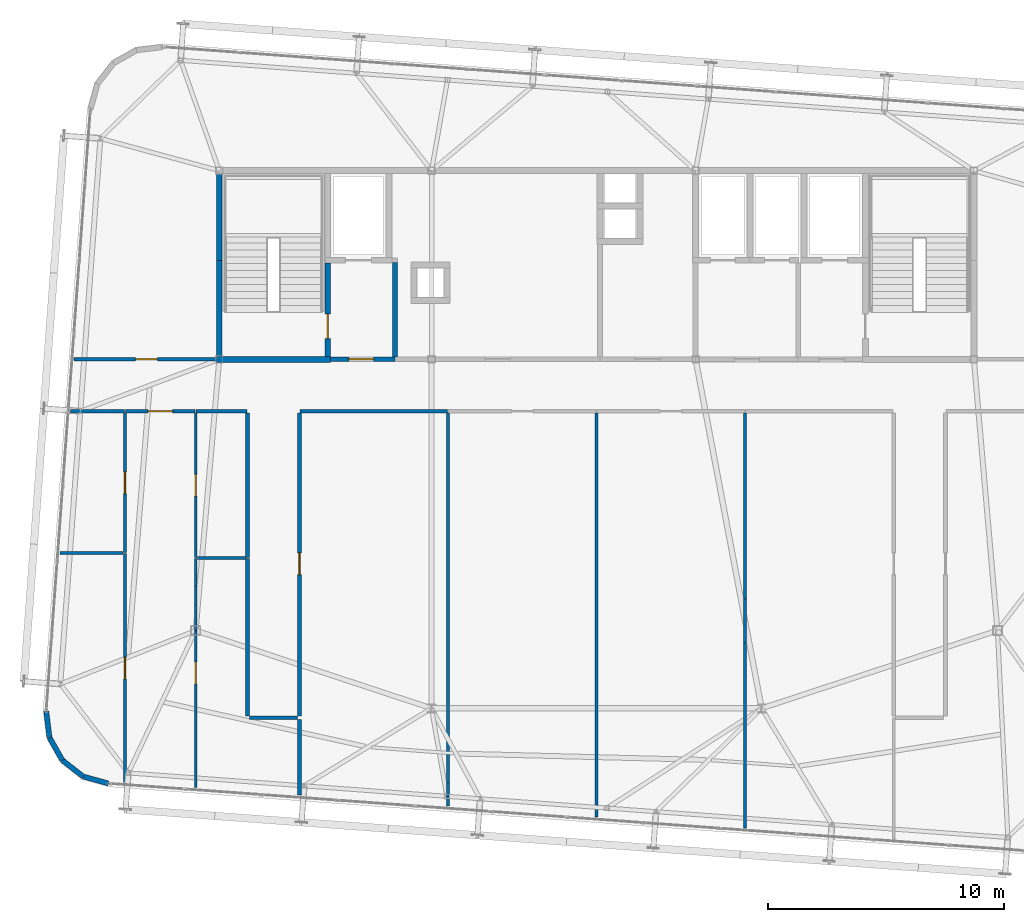
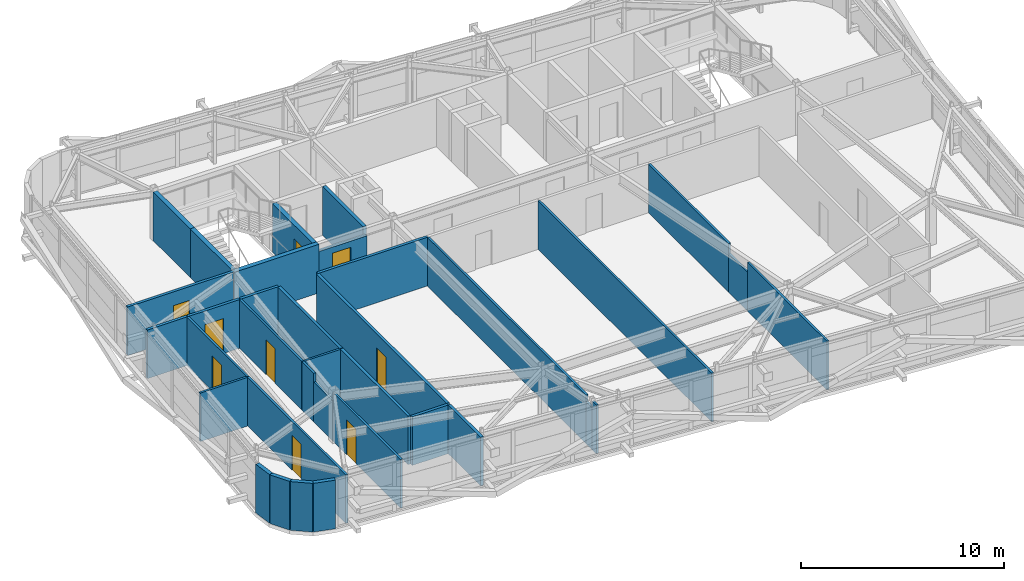
# One storey, part 38 of 42: 35 walls, 9 doors, 9 openings.
"""IFC4 building model written with IfcOpenShell, lengths in metres."""

from ifc_helpers import new_model, si_unit, direction, frame, frame_2d, origin, place, context, subcontext, project, spatial, rectangle, extrude, source, transform, mapped, material, layer, layer_set, type_object, element, fill, save


model = new_model("IFC4")

# Units and contexts
model_context = context("Model", 3, precision=1e-05, world=origin(), true_north=direction((0.0, 1.0)))
body_context = subcontext(model_context, "Body", "Model", "MODEL_VIEW")
ifc_project = project(units=[si_unit("LENGTHUNIT", "METRE"), si_unit("AREAUNIT", "SQUARE_METRE"), si_unit("VOLUMEUNIT", "CUBIC_METRE"), si_unit("PLANEANGLEUNIT", "RADIAN"), si_unit("MASSUNIT", "GRAM", prefix="KILO")], contexts=[model_context])

# Site, building, storey
site_placement = place(None, origin())
site = spatial("IfcSite", under=ifc_project, at=site_placement, CompositionType="ELEMENT")
building_placement = place(site_placement, origin())
building = spatial("IfcBuilding", under=site, at=building_placement, Name="Taldren Reach Tower", CompositionType="ELEMENT")
storey_placement = place(building_placement, frame((0.0, 0.0, 220.85009765625)))
storey = spatial("IfcBuildingStorey", under=building, at=storey_placement, Name="L67", CompositionType="ELEMENT", Elevation=220.85009765625)

# Walls
ifc_material_1 = material(Name="Pale Champagne Anodised Aluminium Cladding", Category="aluminium")
ifc_layer_1 = layer(ifc_material_1, 0.04, Name="Pale Champagne Anodised Aluminium Cladding", Category="aluminium")
ifc_material_2 = material(Name="Mineral Wool Acoustic Insulation", Category="insulation")
ifc_layer_2 = layer(ifc_material_2, 0.06, Name="Mineral Wool Acoustic Insulation", Category="insulation")
ifc_material_3 = material(Name="Steel Gr 350 (C350L0)", Category="steel")
ifc_layer_3 = layer(ifc_material_3, 0.12, Name="Steel Gr 350 (C350L0)", Category="steel")
ifc_layer_set_1 = layer_set([ifc_layer_1, ifc_layer_2, ifc_layer_3], Name="Pale Champagne Aluminium Cladding and Steel Gr 350 Stud Framing")
wall_type_1 = type_object("IfcWallType", Name="EW-CRN-220", PredefinedType="SOLIDWALL", material=ifc_layer_set_1)
shared_shape_1 = source(origin(), body_context, "Body", "SweptSolid", [
    extrude(rectangle(XDim=1.115966796875, YDim=0.219970703125, at=frame_2d((0.55810546875, 0.0))), origin(), (0.0, 0.0, 1.0), 2.929931640625),
])
for number, where, z_axis, x_axis, name in (
    (1, (11.66259765625, 9.072021484375, 0.0), (0.0, 0.0, 1.0), (0.122742076028, -0.992438604032, 0.0), "Rounded-corner pale-metal facade wall L67-SW1"),
    (2, (11.799560546875, 7.964599609375, 0.0), (0.0, 0.0, 1.0), (0.493073284892, -0.869987779067, 0.0), "Rounded-corner pale-metal facade wall L67-SW2"),
    (3, (12.349853515625, 6.99365234375, 0.0), (0.0, 0.0, 1.0), (0.788597772321, -0.614909386406, 0.0), "Rounded-corner pale-metal facade wall L67-SW3"),
):
    element("IfcWall", number, at=place(storey_placement, frame(where, z_axis=z_axis, x_axis=x_axis)), inside=storey, type_object=wall_type_1, Name=name, PredefinedType="SOLIDWALL", context=body_context, shape_type="MappedRepresentation", body=[
        mapped(shared_shape_1, transform((0.0, 0.0, 0.0), scale=1.0)),
    ])
shared_shape_2 = source(origin(), body_context, "Body", "SweptSolid", [
    extrude(rectangle(XDim=1.11572265625, YDim=0.219970703125, at=frame_2d((0.557861328125, 0.0))), origin(), (0.0, 0.0, 1.0), 2.929931640625),
])
wall_1_placement = place(storey_placement, frame((13.22998046875, 6.307373046875, 0.0), z_axis=(0.0, 0.0, 1.0), x_axis=(0.963890028874, -0.266300605026, 0.0)))
element("IfcWall", 4, at=wall_1_placement, inside=storey, type_object=wall_type_1, Name="Rounded-corner pale-metal facade wall L67-SW4", PredefinedType="SOLIDWALL", context=body_context, shape_type="MappedRepresentation", body=[
    mapped(shared_shape_2, transform((0.0, 0.0, 0.0), scale=1.0)),
])
ifc_material_4 = material(Name="Fire-Rated Acoustic Plasterboard Stud Wall", Category="gypsum")
ifc_layer_4 = layer(ifc_material_4, 0.159912109375)
ifc_layer_set_2 = layer_set([ifc_layer_4], Name="Fire-Rated Acoustic Plasterboard Stud Wall")
wall_type_2 = type_object("IfcWallType", Name="IW-FIRE-160", PredefinedType="PARTITIONING", material=ifc_layer_set_2)
shared_shape_3 = source(origin(), body_context, "Body", "SweptSolid", [
    extrude(rectangle(XDim=2.0400390625, YDim=0.159912109375, at=frame_2d((1.02001953125, 0.0))), origin(), (0.0, 0.0, 1.0), 2.929931640625),
])
wall_2_placement = place(storey_placement, frame((22.320068359375, 8.800048828125, 0.0), z_axis=(0.0, 0.0, 1.0), x_axis=(-1.0, 0.0, 0.0)))
element("IfcWall", 5, at=wall_2_placement, inside=storey, type_object=wall_type_2, Name="Interior Partition Wall W-INT-L67-040", PredefinedType="PARTITIONING", context=body_context, shape_type="MappedRepresentation", body=[
    mapped(shared_shape_3, transform((0.0, 0.0, 0.0), scale=1.0)),
])
shared_shape_4 = source(origin(), body_context, "Body", "SweptSolid", [
    extrude(rectangle(XDim=2.159423828125, YDim=0.159912109375, at=frame_2d((1.07958984375, 0.0))), origin(), (0.0, 0.0, 1.0), 2.929931640625),
])
wall_3_placement = place(storey_placement, frame((20.1796875, 21.800048828125, 0.0), z_axis=(0.0, 0.0, 1.0), x_axis=(-1.0, 0.0, 0.0)))
element("IfcWall", 6, at=wall_3_placement, inside=storey, type_object=wall_type_2, Name="Interior Partition Wall W-INT-L67-037", PredefinedType="PARTITIONING", context=body_context, shape_type="MappedRepresentation", body=[
    mapped(shared_shape_4, transform((0.0, 0.0, 0.0), scale=1.0)),
])
ifc_material_5 = material(Name="Concrete S50 (50 MPa)", Category="concrete")
ifc_layer_5 = layer(ifc_material_5, 0.199951171875)
ifc_layer_set_3 = layer_set([ifc_layer_5], Name="Concrete S50 (50 MPa)")
wall_type_3 = type_object("IfcWallType", Name="IW-CORE-200", PredefinedType="SOLIDWALL", material=ifc_layer_set_3)
shared_shape_5 = source(origin(), body_context, "Body", "SweptSolid", [
    extrude(rectangle(XDim=4.0, YDim=0.199951171875, at=frame_2d((2.0, 0.0))), origin(), (0.0, 0.0, 1.0), 2.929931640625),
])
wall_4_placement = place(storey_placement, frame((26.449951171875, 24.10009765625, 0.0), z_axis=(0.0, 0.0, 1.0), x_axis=(0.0, 1.0, 0.0)))
element("IfcWall", 7, at=wall_4_placement, inside=storey, type_object=wall_type_3, Name="Rear Core Shear Wall W-INT-L67-006", PredefinedType="SOLIDWALL", context=body_context, shape_type="MappedRepresentation", body=[
    mapped(shared_shape_5, transform((0.0, 0.0, 0.0), scale=1.0)),
])
ifc_material_6 = material(Name="Insulated Residential Stud Partition", Category="gypsum")
ifc_layer_6 = layer(ifc_material_6, 0.1201171875)
ifc_layer_set_4 = layer_set([ifc_layer_6], Name="Insulated Residential Stud Partition")
wall_type_4 = type_object("IfcWallType", Name="IW-PART-120", PredefinedType="PARTITIONING", material=ifc_layer_set_4)
shared_shape_6 = source(origin(), body_context, "Body", "SweptSolid", [
    extrude(rectangle(XDim=1.9013671875, YDim=0.1201171875, at=frame_2d((0.95068359375, 0.0))), origin(), (0.0, 0.0, 1.0), 2.39697265625),
])
wall_5_placement = place(storey_placement, frame((18.0, 14.396240234375, 0.0), z_axis=(0.0, 0.0, 1.0), x_axis=(0.0, -1.0, 0.0)))
element("IfcWall", 8, at=wall_5_placement, inside=storey, type_object=wall_type_4, Name="Interior Partition Wall W-INT-L67-054 part 2", PredefinedType="PARTITIONING", context=body_context, shape_type="MappedRepresentation", body=[
    mapped(shared_shape_6, transform((0.0, 0.0, 0.0), scale=1.0)),
])
shared_shape_7 = source(origin(), body_context, "Body", "SweptSolid", [
    extrude(rectangle(XDim=1.86083984375, YDim=0.1201171875, at=frame_2d((0.930419921875, 0.0))), origin(), (0.0, 0.0, 1.0), 2.327880859375),
])
wall_6_placement = place(storey_placement, frame((41.300048828125, 13.830322265625, 0.0), z_axis=(0.0, 0.0, 1.0), x_axis=(0.0, -1.0, 0.0)))
element("IfcWall", 9, at=wall_6_placement, inside=storey, type_object=wall_type_4, Name="Interior Partition Wall W-INT-L67-060 part 2", PredefinedType="PARTITIONING", context=body_context, shape_type="MappedRepresentation", body=[
    mapped(shared_shape_7, transform((0.0, 0.0, 0.0), scale=1.0)),
])
ifc_material_7 = material(Name="Concrete S65 (65 MPa)", Category="concrete")
ifc_layer_7 = layer(ifc_material_7, 0.25)
ifc_layer_set_5 = layer_set([ifc_layer_7], Name="Concrete S65 (65 MPa)")
wall_type_5 = type_object("IfcWallType", Name="IW-CORE-250", PredefinedType="SHEAR", material=ifc_layer_set_5)
shared_shape_8 = source(origin(), body_context, "Body", "SweptSolid", [
    extrude(rectangle(XDim=4.074951171875, YDim=0.25, at=frame_2d((2.03759765625, 0.0))), origin(), (0.0, 0.0, 1.0), 2.929931640625),
])
wall_7_placement = place(storey_placement, frame((19.0, 24.125, 0.0), z_axis=(0.0, 0.0, 1.0), x_axis=(0.0, 1.0, 0.0)))
element("IfcWall", 10, at=wall_7_placement, inside=storey, type_object=wall_type_5, Name="Rear Core Shear Wall W-CORE-L67-WEST1", PredefinedType="SHEAR", context=body_context, shape_type="MappedRepresentation", body=[
    mapped(shared_shape_8, transform((0.0, 0.0, 0.0), scale=1.0)),
])
shared_shape_9 = source(origin(), body_context, "Body", "SweptSolid", [
    extrude(rectangle(XDim=3.675048828125, YDim=0.25, at=frame_2d((1.83740234375, 0.0))), origin(), (0.0, 0.0, 1.0), 2.929931640625),
])
wall_8_placement = place(storey_placement, frame((19.0, 28.199951171875, 0.0), z_axis=(0.0, 0.0, 1.0), x_axis=(0.0, 1.0, 0.0)))
element("IfcWall", 11, at=wall_8_placement, inside=storey, type_object=wall_type_5, Name="Rear Core Shear Wall W-CORE-L67-WEST2", PredefinedType="SHEAR", context=body_context, shape_type="MappedRepresentation", body=[
    mapped(shared_shape_9, transform((0.0, 0.0, 0.0), scale=1.0)),
])

# Wall, opening, door
shared_shape_10 = source(origin(), body_context, "Body", "SweptSolid", [
    extrude(rectangle(XDim=3.949951171875, YDim=0.25, at=frame_2d((1.97509765625, 0.0))), origin(), (0.0, 0.0, 1.0), 2.929931640625),
])
wall_9_placement = place(storey_placement, frame((23.60009765625, 24.125, 0.0), z_axis=(0.0, 0.0, 1.0), x_axis=(0.0, 1.0, 0.0)))
wall_9 = element("IfcWall", 12, at=wall_9_placement, inside=storey, type_object=wall_type_5, Name="Rear Core Shear Wall W-INT-L67-002", PredefinedType="SHEAR", context=body_context, shape_type="MappedRepresentation", body=[
    mapped(shared_shape_10, transform((0.0, 0.0, 0.0), scale=1.0)),
])
shared_shape_11 = source(origin(), body_context, "Body", "SweptSolid", [
    extrude(rectangle(XDim=1.050048828125, YDim=2.10009765625, at=frame_2d((0.52490234375, 1.050048828125))), frame((0.0, 0.135009765625, 0.0), z_axis=(0.0, -1.0, 0.0), x_axis=(1.0, 0.0, 0.0)), (0.0, 0.0, 1.0), 0.27001953125),
])
opening_1_placement = place(wall_9_placement, frame((0.75, 0.0, 0.0)))
opening_1 = element("IfcOpeningElement", 13, at=opening_1_placement, cuts=wall_9, Name="Opening DF-105", PredefinedType="OPENING", context=body_context, shape_type="MappedRepresentation", body=[
    mapped(shared_shape_11, transform((0.0, 0.0, 0.0), scale=1.0)),
])
ifc_material_8 = material(Name="Fire-Rated Care and Stair Exit Door")
door_type_1 = type_object("IfcDoorType", Name="ID-FIRE-105", OperationType="NOTDEFINED", PredefinedType="DOOR", material=ifc_material_8)
shared_shape_12 = source(origin(), body_context, "Body", "SweptSolid", [
    extrude(rectangle(XDim=1.050048828125, YDim=2.10009765625, at=frame_2d((0.52490234375, 1.050048828125))), frame((0.0, 0.02490234375, 0.0), z_axis=(0.0, -1.0, 0.0), x_axis=(1.0, 0.0, 0.0)), (0.0, 0.0, 1.0), 0.050048828125),
])
door_1_placement = place(opening_1_placement, origin())
door_1 = element("IfcDoor", 14, at=door_1_placement, inside=storey, type_object=door_type_1, Name="Fire Exit Stair Door DR-L67-001", OperationType="SINGLE_SWING_LEFT", OverallHeight=2.10009765625, OverallWidth=1.050048828125, PredefinedType="DOOR", context=body_context, shape_type="MappedRepresentation", body=[
    mapped(shared_shape_12, transform((0.0, 0.0, 0.0), scale=1.0)),
])
fill(opening_1, door_1)

# Wall
shared_shape_13 = source(origin(), body_context, "Body", "SweptSolid", [
    extrude(rectangle(XDim=4.85009765625, YDim=0.25, at=frame_2d((2.425048828125, 0.0))), origin(), (0.0, 0.0, 1.0), 2.929931640625),
])
wall_10_placement = place(storey_placement, frame((18.875, 24.0, 0.0), z_axis=(0.0, 0.0, 1.0), x_axis=(1.0, 0.0, 0.0)))
element("IfcWall", 15, at=wall_10_placement, inside=storey, type_object=wall_type_5, Name="Rear Core Shear Wall W-INT-L67-003", PredefinedType="SHEAR", context=body_context, shape_type="MappedRepresentation", body=[
    mapped(shared_shape_13, transform((0.0, 0.0, 0.0), scale=1.0)),
])

# Wall, opening, door
shared_shape_14 = source(origin(), body_context, "Body", "SweptSolid", [
    extrude(rectangle(XDim=2.724853515625, YDim=0.199951171875, at=frame_2d((1.3623046875, 0.0))), origin(), (0.0, 0.0, 1.0), 2.469970703125),
])
wall_11_placement = place(storey_placement, frame((23.72509765625, 24.0, 0.0), z_axis=(0.0, 0.0, 1.0), x_axis=(1.0, 0.0, 0.0)))
wall_11 = element("IfcWall", 16, at=wall_11_placement, inside=storey, type_object=wall_type_3, Name="Rear Core Shear Wall W-INT-L67-007", PredefinedType="SOLIDWALL", context=body_context, shape_type="MappedRepresentation", body=[
    mapped(shared_shape_14, transform((0.0, 0.0, 0.0), scale=1.0)),
])
shared_shape_15 = source(origin(), body_context, "Body", "SweptSolid", [
    extrude(rectangle(XDim=1.050048828125, YDim=2.10009765625, at=frame_2d((0.52490234375, 1.050048828125))), frame((0.0, 0.10986328125, 0.0), z_axis=(0.0, -1.0, 0.0), x_axis=(1.0, 0.0, 0.0)), (0.0, 0.0, 1.0), 0.219970703125),
])
opening_2_placement = place(wall_11_placement, frame((0.77490234375, 0.0, 0.0)))
opening_2 = element("IfcOpeningElement", 17, at=opening_2_placement, cuts=wall_11, Name="Opening DF-105", PredefinedType="OPENING", context=body_context, shape_type="MappedRepresentation", body=[
    mapped(shared_shape_15, transform((0.0, 0.0, 0.0), scale=1.0)),
])
door_2_placement = place(opening_2_placement, origin())
door_2 = element("IfcDoor", 18, at=door_2_placement, inside=storey, type_object=door_type_1, Name="Interior Door DR-L67-002", OperationType="SINGLE_SWING_LEFT", OverallHeight=2.10009765625, OverallWidth=1.050048828125, PredefinedType="DOOR", context=body_context, shape_type="MappedRepresentation", body=[
    mapped(shared_shape_12, transform((0.0, 0.0, 0.0), scale=1.0)),
])
fill(opening_2, door_2)

shared_shape_16 = source(origin(), body_context, "Body", "SweptSolid", [
    extrude(rectangle(XDim=12.840087890625, YDim=0.159912109375, at=frame_2d((6.419921875, 0.0))), origin(), (0.0, 0.0, 1.0), 2.929931640625),
])
wall_12_placement = place(storey_placement, frame((22.39990234375, 21.719970703125, 0.0), z_axis=(0.0, 0.0, 1.0), x_axis=(0.0, -1.0, 0.0)))
wall_12 = element("IfcWall", 19, at=wall_12_placement, inside=storey, type_object=wall_type_2, Name="Interior Partition Wall W-INT-L67-041", PredefinedType="PARTITIONING", context=body_context, shape_type="MappedRepresentation", body=[
    mapped(shared_shape_16, transform((0.0, 0.0, 0.0), scale=1.0)),
])
shared_shape_17 = source(origin(), body_context, "Body", "SweptSolid", [
    extrude(rectangle(XDim=0.919921875, YDim=2.10009765625, at=frame_2d((0.4599609375, 1.050048828125))), frame((0.0, 0.08984375, 0.0), z_axis=(0.0, -1.0, 0.0), x_axis=(1.0, 0.0, 0.0)), (0.0, 0.0, 1.0), 0.179931640625),
])
opening_3_placement = place(wall_12_placement, frame((5.93017578125, 0.0, 0.0)))
opening_3 = element("IfcOpeningElement", 20, at=opening_3_placement, cuts=wall_12, Name="Opening DI-092", PredefinedType="OPENING", context=body_context, shape_type="MappedRepresentation", body=[
    mapped(shared_shape_17, transform((0.0, 0.0, 0.0), scale=1.0)),
])
ifc_material_9 = material(Name="Solid-Core Timber Suite Door", Category="wood")
door_type_2 = type_object("IfcDoorType", Name="ID-INT-092", OperationType="NOTDEFINED", PredefinedType="DOOR", material=ifc_material_9)
shared_shape_18 = source(origin(), body_context, "Body", "SweptSolid", [
    extrude(rectangle(XDim=0.919921875, YDim=2.10009765625, at=frame_2d((0.4599609375, 1.050048828125))), frame((0.0, 0.02490234375, 0.0), z_axis=(0.0, -1.0, 0.0), x_axis=(1.0, 0.0, 0.0)), (0.0, 0.0, 1.0), 0.050048828125),
])
door_3_placement = place(opening_3_placement, origin())
door_3 = element("IfcDoor", 21, at=door_3_placement, inside=storey, type_object=door_type_2, Name="Interior Door DR-L67-010", OperationType="SINGLE_SWING_LEFT", OverallHeight=2.10009765625, OverallWidth=0.919921875, PredefinedType="DOOR", context=body_context, shape_type="MappedRepresentation", body=[
    mapped(shared_shape_18, transform((0.0, 0.0, 0.0), scale=1.0)),
])
fill(opening_3, door_3)

shared_shape_19 = source(origin(), body_context, "Body", "SweptSolid", [
    extrude(rectangle(XDim=6.03173828125, YDim=0.159912109375, at=frame_2d((3.015869140625, 0.0))), origin(), (0.0, 0.0, 1.0), 2.929931640625),
])
wall_13_placement = place(storey_placement, frame((12.84326171875, 24.0, 0.0), z_axis=(0.0, 0.0, 1.0), x_axis=(1.0, 0.0, 0.0)))
wall_13 = element("IfcWall", 22, at=wall_13_placement, inside=storey, type_object=wall_type_2, Name="Interior Partition Wall W-INT-L67-034", PredefinedType="PARTITIONING", context=body_context, shape_type="MappedRepresentation", body=[
    mapped(shared_shape_19, transform((0.0, 0.0, 0.0), scale=1.0)),
])
opening_4_placement = place(wall_13_placement, frame((2.6083984375, 0.0, 0.0)))
opening_4 = element("IfcOpeningElement", 23, at=opening_4_placement, cuts=wall_13, Name="Opening DI-092", PredefinedType="OPENING", context=body_context, shape_type="MappedRepresentation", body=[
    mapped(shared_shape_17, transform((0.0, 0.0, 0.0), scale=1.0)),
])
door_4_placement = place(opening_4_placement, origin())
door_4 = element("IfcDoor", 24, at=door_4_placement, inside=storey, type_object=door_type_2, Name="Interior Door DR-L67-008", OperationType="SINGLE_SWING_LEFT", OverallHeight=2.10009765625, OverallWidth=0.919921875, PredefinedType="DOOR", context=body_context, shape_type="MappedRepresentation", body=[
    mapped(shared_shape_18, transform((0.0, 0.0, 0.0), scale=1.0)),
])
fill(opening_4, door_4)

shared_shape_20 = source(origin(), body_context, "Body", "SweptSolid", [
    extrude(rectangle(XDim=2.96044921875, YDim=0.159912109375, at=frame_2d((1.480224609375, 0.0))), origin(), (0.0, 0.0, 1.0), 2.929931640625),
])
wall_14_placement = place(storey_placement, frame((17.979736328125, 21.800048828125, 0.0), z_axis=(0.0, 0.0, 1.0), x_axis=(-1.0, 0.0, 0.0)))
wall_14 = element("IfcWall", 25, at=wall_14_placement, inside=storey, type_object=wall_type_2, Name="Interior Partition Wall W-INT-L67-035", PredefinedType="PARTITIONING", context=body_context, shape_type="MappedRepresentation", body=[
    mapped(shared_shape_20, transform((0.0, 0.0, 0.0), scale=1.0)),
])
shared_shape_21 = source(origin(), body_context, "Body", "SweptSolid", [
    extrude(rectangle(XDim=1.050048828125, YDim=2.10009765625, at=frame_2d((0.52490234375, 1.050048828125))), frame((0.0, 0.08984375, 0.0), z_axis=(0.0, -1.0, 0.0), x_axis=(1.0, 0.0, 0.0)), (0.0, 0.0, 1.0), 0.179931640625),
])
opening_5_placement = place(wall_14_placement, frame((0.955322265625, 0.0, 0.0)))
opening_5 = element("IfcOpeningElement", 26, at=opening_5_placement, cuts=wall_14, Name="Opening DF-105", PredefinedType="OPENING", context=body_context, shape_type="MappedRepresentation", body=[
    mapped(shared_shape_21, transform((0.0, 0.0, 0.0), scale=1.0)),
])
door_5_placement = place(opening_5_placement, origin())
door_5 = element("IfcDoor", 27, at=door_5_placement, inside=storey, type_object=door_type_1, Name="Interior Door DR-L67-009", OperationType="SINGLE_SWING_RIGHT", OverallHeight=2.10009765625, OverallWidth=1.050048828125, PredefinedType="DOOR", context=body_context, shape_type="MappedRepresentation", body=[
    mapped(shared_shape_12, transform((0.0, 0.0, 0.0), scale=1.0)),
])
fill(opening_5, door_5)

# Walls
shared_shape_22 = source(origin(), body_context, "Body", "SweptSolid", [
    extrude(rectangle(XDim=6.11962890625, YDim=0.159912109375, at=frame_2d((3.059814453125, 0.0))), origin(), (0.0, 0.0, 1.0), 2.929931640625),
])
wall_15_placement = place(storey_placement, frame((20.199951171875, 15.600341796875, 0.0), z_axis=(0.0, 0.0, 1.0), x_axis=(0.0, 1.0, 0.0)))
element("IfcWall", 28, at=wall_15_placement, inside=storey, type_object=wall_type_2, Name="Interior Partition Wall W-INT-L67-036", PredefinedType="PARTITIONING", context=body_context, shape_type="MappedRepresentation", body=[
    mapped(shared_shape_22, transform((0.0, 0.0, 0.0), scale=1.0)),
])
shared_shape_23 = source(origin(), body_context, "Body", "SweptSolid", [
    extrude(rectangle(XDim=2.28564453125, YDim=0.159912109375, at=frame_2d((1.142822265625, 0.0))), origin(), (0.0, 0.0, 1.0), 2.929931640625),
])
wall_16_placement = place(storey_placement, frame((14.97900390625, 21.800048828125, 0.0), z_axis=(0.0, 0.0, 1.0), x_axis=(-1.0, 0.0, 0.0)))
element("IfcWall", 29, at=wall_16_placement, inside=storey, type_object=wall_type_2, Name="Interior Partition Wall W-INT-L67-038", PredefinedType="PARTITIONING", context=body_context, shape_type="MappedRepresentation", body=[
    mapped(shared_shape_23, transform((0.0, 0.0, 0.0), scale=1.0)),
])
shared_shape_24 = source(origin(), body_context, "Body", "SweptSolid", [
    extrude(rectangle(XDim=6.68017578125, YDim=0.159912109375, at=frame_2d((3.340087890625, 0.0))), origin(), (0.0, 0.0, 1.0), 2.929931640625),
])
wall_17_placement = place(storey_placement, frame((20.199951171875, 8.8798828125, 0.0), z_axis=(0.0, 0.0, 1.0), x_axis=(0.0, 1.0, 0.0)))
element("IfcWall", 30, at=wall_17_placement, inside=storey, type_object=wall_type_2, Name="Interior Partition Wall W-INT-L67-039", PredefinedType="PARTITIONING", context=body_context, shape_type="MappedRepresentation", body=[
    mapped(shared_shape_24, transform((0.0, 0.0, 0.0), scale=1.0)),
])
shared_shape_25 = source(origin(), body_context, "Body", "SweptSolid", [
    extrude(rectangle(XDim=6.25927734375, YDim=0.159912109375, at=frame_2d((3.129638671875, 0.0))), origin(), (0.0, 0.0, 1.0), 2.929931640625),
])
wall_18_placement = place(storey_placement, frame((28.6796875, 21.800048828125, 0.0), z_axis=(0.0, 0.0, 1.0), x_axis=(-1.0, 0.0, 0.0)))
element("IfcWall", 31, at=wall_18_placement, inside=storey, type_object=wall_type_2, Name="Interior Partition Wall W-INT-L67-042", PredefinedType="PARTITIONING", context=body_context, shape_type="MappedRepresentation", body=[
    mapped(shared_shape_25, transform((0.0, 0.0, 0.0), scale=1.0)),
])

# Wall, opening, door
shared_shape_26 = source(origin(), body_context, "Body", "SweptSolid", [
    extrude(rectangle(XDim=6.11962890625, YDim=0.1201171875, at=frame_2d((3.059814453125, 0.0))), origin(), (0.0, 0.0, 1.0), 2.929931640625),
])
wall_19_placement = place(storey_placement, frame((18.0, 21.719970703125, 0.0), z_axis=(0.0, 0.0, 1.0), x_axis=(0.0, -1.0, 0.0)))
wall_19 = element("IfcWall", 32, at=wall_19_placement, inside=storey, type_object=wall_type_4, Name="Interior Partition Wall W-INT-L67-051", PredefinedType="PARTITIONING", context=body_context, shape_type="MappedRepresentation", body=[
    mapped(shared_shape_26, transform((0.0, 0.0, 0.0), scale=1.0)),
])
shared_shape_27 = source(origin(), body_context, "Body", "SweptSolid", [
    extrude(rectangle(XDim=0.919921875, YDim=2.10009765625, at=frame_2d((0.4599609375, 1.050048828125))), frame((0.0, 0.070068359375, 0.0), z_axis=(0.0, -1.0, 0.0), x_axis=(1.0, 0.0, 0.0)), (0.0, 0.0, 1.0), 0.14013671875),
])
opening_6_placement = place(wall_19_placement, frame((2.599853515625, 0.0, 0.0)))
opening_6 = element("IfcOpeningElement", 33, at=opening_6_placement, cuts=wall_19, Name="Opening DI-092", PredefinedType="OPENING", context=body_context, shape_type="MappedRepresentation", body=[
    mapped(shared_shape_27, transform((0.0, 0.0, 0.0), scale=1.0)),
])
door_6_placement = place(opening_6_placement, origin())
door_6 = element("IfcDoor", 34, at=door_6_placement, inside=storey, type_object=door_type_2, Name="Interior Door DR-L67-016", OperationType="SINGLE_SWING_LEFT", OverallHeight=2.10009765625, OverallWidth=0.919921875, PredefinedType="DOOR", context=body_context, shape_type="MappedRepresentation", body=[
    mapped(shared_shape_18, transform((0.0, 0.0, 0.0), scale=1.0)),
])
fill(opening_6, door_6)

shared_shape_28 = source(origin(), body_context, "Body", "SweptSolid", [
    extrude(rectangle(XDim=5.91552734375, YDim=0.1201171875, at=frame_2d((2.957763671875, 0.0))), origin(), (0.0, 0.0, 1.0), 2.929931640625),
])
wall_20_placement = place(storey_placement, frame((14.9990234375, 15.804443359375, 0.0), z_axis=(0.0, 0.0, 1.0), x_axis=(0.0, 1.0, 0.0)))
wall_20 = element("IfcWall", 35, at=wall_20_placement, inside=storey, type_object=wall_type_4, Name="Interior Partition Wall W-INT-L67-052", PredefinedType="PARTITIONING", context=body_context, shape_type="MappedRepresentation", body=[
    mapped(shared_shape_28, transform((0.0, 0.0, 0.0), scale=1.0)),
])
opening_7_placement = place(wall_20_placement, frame((2.497802734375, 0.0, 0.0)))
opening_7 = element("IfcOpeningElement", 36, at=opening_7_placement, cuts=wall_20, Name="Opening DI-092", PredefinedType="OPENING", context=body_context, shape_type="MappedRepresentation", body=[
    mapped(shared_shape_27, transform((0.0, 0.0, 0.0), scale=1.0)),
])
door_7_placement = place(opening_7_placement, origin())
door_7 = element("IfcDoor", 37, at=door_7_placement, inside=storey, type_object=door_type_2, Name="Interior Door DR-L67-017", OperationType="SINGLE_SWING_RIGHT", OverallHeight=2.10009765625, OverallWidth=0.919921875, PredefinedType="DOOR", context=body_context, shape_type="MappedRepresentation", body=[
    mapped(shared_shape_18, transform((0.0, 0.0, 0.0), scale=1.0)),
])
fill(opening_7, door_7)

shared_shape_29 = source(origin(), body_context, "Body", "SweptSolid", [
    extrude(rectangle(XDim=9.720458984375, YDim=0.1201171875, at=frame_2d((4.8603515625, 0.0))), origin(), (0.0, 0.0, 1.0), 2.929931640625),
])
wall_21_placement = place(storey_placement, frame((14.9990234375, 6.043701171875, 0.0), z_axis=(0.0, 0.0, 1.0), x_axis=(0.0, 1.0, 0.0)))
wall_21 = element("IfcWall", 38, at=wall_21_placement, inside=storey, type_object=wall_type_4, Name="Interior Partition Wall W-INT-L67-053", PredefinedType="PARTITIONING", context=body_context, shape_type="MappedRepresentation", body=[
    mapped(shared_shape_29, transform((0.0, 0.0, 0.0), scale=1.0)),
])
opening_8_placement = place(wall_21_placement, frame((4.400390625, 0.0, 0.0)))
opening_8 = element("IfcOpeningElement", 39, at=opening_8_placement, cuts=wall_21, Name="Opening DI-092", PredefinedType="OPENING", context=body_context, shape_type="MappedRepresentation", body=[
    mapped(shared_shape_27, transform((0.0, 0.0, 0.0), scale=1.0)),
])
door_8_placement = place(opening_8_placement, origin())
door_8 = element("IfcDoor", 40, at=door_8_placement, inside=storey, type_object=door_type_2, Name="Interior Door DR-L67-018", OperationType="SINGLE_SWING_LEFT", OverallHeight=2.10009765625, OverallWidth=0.919921875, PredefinedType="DOOR", context=body_context, shape_type="MappedRepresentation", body=[
    mapped(shared_shape_18, transform((0.0, 0.0, 0.0), scale=1.0)),
])
fill(opening_8, door_8)

# Wall
shared_shape_30 = source(origin(), body_context, "Body", "SweptSolid", [
    extrude(rectangle(XDim=1.163818359375, YDim=0.1201171875, at=frame_2d((0.58203125, 0.0))), origin(), (0.0, 0.0, 1.0), 2.929931640625),
])
wall_22_placement = place(storey_placement, frame((18.0, 15.56005859375, 0.0), z_axis=(0.0, 0.0, 1.0), x_axis=(0.0, -1.0, 0.0)))
element("IfcWall", 41, at=wall_22_placement, inside=storey, type_object=wall_type_4, Name="Interior Partition Wall W-INT-L67-054", PredefinedType="PARTITIONING", context=body_context, shape_type="MappedRepresentation", body=[
    mapped(shared_shape_30, transform((0.0, 0.0, 0.0), scale=1.0)),
])

# Wall, opening, door
shared_shape_31 = source(origin(), body_context, "Body", "SweptSolid", [
    extrude(rectangle(XDim=6.659912109375, YDim=0.1201171875, at=frame_2d((3.330078125, 0.0))), origin(), (0.0, 0.0, 1.0), 2.929931640625),
])
wall_23_placement = place(storey_placement, frame((18.0, 12.494873046875, 0.0), z_axis=(0.0, 0.0, 1.0), x_axis=(0.0, -1.0, 0.0)))
wall_23 = element("IfcWall", 42, at=wall_23_placement, inside=storey, type_object=wall_type_4, Name="Interior Partition Wall W-INT-L67-054 part 3", PredefinedType="PARTITIONING", context=body_context, shape_type="MappedRepresentation", body=[
    mapped(shared_shape_31, transform((0.0, 0.0, 0.0), scale=1.0)),
])
opening_9_placement = place(wall_23_placement, frame((1.337158203125, 0.0, 0.0)))
opening_9 = element("IfcOpeningElement", 43, at=opening_9_placement, cuts=wall_23, Name="Opening DI-092", PredefinedType="OPENING", context=body_context, shape_type="MappedRepresentation", body=[
    mapped(shared_shape_27, transform((0.0, 0.0, 0.0), scale=1.0)),
])
door_9_placement = place(opening_9_placement, origin())
door_9 = element("IfcDoor", 44, at=door_9_placement, inside=storey, type_object=door_type_2, Name="Interior Door DR-L67-019", OperationType="SINGLE_SWING_RIGHT", OverallHeight=2.10009765625, OverallWidth=0.919921875, PredefinedType="DOOR", context=body_context, shape_type="MappedRepresentation", body=[
    mapped(shared_shape_18, transform((0.0, 0.0, 0.0), scale=1.0)),
])
fill(opening_9, door_9)

# Walls
shared_shape_32 = source(origin(), body_context, "Body", "SweptSolid", [
    extrude(rectangle(XDim=2.0400390625, YDim=0.1201171875, at=frame_2d((1.02001953125, 0.0))), origin(), (0.0, 0.0, 1.0), 2.929931640625),
])
wall_24_placement = place(storey_placement, frame((20.1201171875, 15.580078125, 0.0), z_axis=(0.0, 0.0, 1.0), x_axis=(-1.0, 0.0, 0.0)))
element("IfcWall", 45, at=wall_24_placement, inside=storey, type_object=wall_type_4, Name="Interior Partition Wall W-INT-L67-055", PredefinedType="PARTITIONING", context=body_context, shape_type="MappedRepresentation", body=[
    mapped(shared_shape_32, transform((0.0, 0.0, 0.0), scale=1.0)),
])
shared_shape_33 = source(origin(), body_context, "Body", "SweptSolid", [
    extrude(rectangle(XDim=2.66748046875, YDim=0.1201171875, at=frame_2d((1.333740234375, 0.0))), origin(), (0.0, 0.0, 1.0), 2.929931640625),
])
wall_25_placement = place(storey_placement, frame((14.919189453125, 15.7841796875, 0.0), z_axis=(0.0, 0.0, 1.0), x_axis=(-1.0, 0.0, 0.0)))
element("IfcWall", 46, at=wall_25_placement, inside=storey, type_object=wall_type_4, Name="Interior Partition Wall W-INT-L67-056", PredefinedType="PARTITIONING", context=body_context, shape_type="MappedRepresentation", body=[
    mapped(shared_shape_33, transform((0.0, 0.0, 0.0), scale=1.0)),
])
shared_shape_34 = source(origin(), body_context, "Body", "SweptSolid", [
    extrude(rectangle(XDim=3.2041015625, YDim=0.159912109375, at=frame_2d((1.60205078125, 0.0))), origin(), (0.0, 0.0, 1.0), 2.929931640625),
])
wall_26_placement = place(storey_placement, frame((22.39990234375, 8.718017578125, 0.0), z_axis=(0.0, 0.0, 1.0), x_axis=(0.0, -1.0, 0.0)))
element("IfcWall", 47, at=wall_26_placement, inside=storey, type_object=wall_type_2, Name="Interior Partition Wall W-INT-L67-057", PredefinedType="PARTITIONING", context=body_context, shape_type="MappedRepresentation", body=[
    mapped(shared_shape_34, transform((0.0, 0.0, 0.0), scale=1.0)),
])
shared_shape_35 = source(origin(), body_context, "Body", "SweptSolid", [
    extrude(rectangle(XDim=15.6552734375, YDim=0.1201171875, at=frame_2d((7.82763671875, 0.0))), origin(), (0.0, 0.0, 1.0), 2.929931640625),
])
wall_27_placement = place(storey_placement, frame((28.699951171875, 21.719970703125, 0.0), z_axis=(0.0, 0.0, 1.0), x_axis=(0.0, -1.0, 0.0)))
element("IfcWall", 48, at=wall_27_placement, inside=storey, type_object=wall_type_4, Name="Interior Partition Wall W-INT-L67-058", PredefinedType="PARTITIONING", context=body_context, shape_type="MappedRepresentation", body=[
    mapped(shared_shape_35, transform((0.0, 0.0, 0.0), scale=1.0)),
])
shared_shape_36 = source(origin(), body_context, "Body", "SweptSolid", [
    extrude(rectangle(XDim=0.599365234375, YDim=0.1201171875, at=frame_2d((0.2998046875, 0.0))), origin(), (0.0, 0.0, 1.0), 2.52392578125),
])
wall_28_placement = place(storey_placement, frame((28.699951171875, 6.064697265625, 0.0), z_axis=(0.0, 0.0, 1.0), x_axis=(0.0, -1.0, 0.0)))
element("IfcWall", 49, at=wall_28_placement, inside=storey, type_object=wall_type_4, Name="Interior Partition Wall W-INT-L67-058 part 2", PredefinedType="PARTITIONING", context=body_context, shape_type="MappedRepresentation", body=[
    mapped(shared_shape_36, transform((0.0, 0.0, 0.0), scale=1.0)),
])
shared_shape_37 = source(origin(), body_context, "Body", "SweptSolid", [
    extrude(rectangle(XDim=0.416015625, YDim=0.1201171875, at=frame_2d((0.2080078125, 0.0))), origin(), (0.0, 0.0, 1.0), 2.929931640625),
])
wall_29_placement = place(storey_placement, frame((28.699951171875, 5.46533203125, 0.0), z_axis=(0.0, 0.0, 1.0), x_axis=(0.0, -1.0, 0.0)))
element("IfcWall", 50, at=wall_29_placement, inside=storey, type_object=wall_type_4, Name="Interior Partition Wall W-INT-L67-058 part 3", PredefinedType="PARTITIONING", context=body_context, shape_type="MappedRepresentation", body=[
    mapped(shared_shape_37, transform((0.0, 0.0, 0.0), scale=1.0)),
])
shared_shape_38 = source(origin(), body_context, "Body", "SweptSolid", [
    extrude(rectangle(XDim=17.129638671875, YDim=0.1201171875, at=frame_2d((8.56494140625, 0.0))), origin(), (0.0, 0.0, 1.0), 2.929931640625),
])
wall_30_placement = place(storey_placement, frame((35.0, 21.718017578125, 0.0), z_axis=(0.0, 0.0, 1.0), x_axis=(0.0, -1.0, 0.0)))
element("IfcWall", 51, at=wall_30_placement, inside=storey, type_object=wall_type_4, Name="Interior Partition Wall W-INT-L67-059", PredefinedType="PARTITIONING", context=body_context, shape_type="MappedRepresentation", body=[
    mapped(shared_shape_38, transform((0.0, 0.0, 0.0), scale=1.0)),
])
shared_shape_39 = source(origin(), body_context, "Body", "SweptSolid", [
    extrude(rectangle(XDim=7.8896484375, YDim=0.1201171875, at=frame_2d((3.94482421875, 0.0))), origin(), (0.0, 0.0, 1.0), 2.929931640625),
])
wall_31_placement = place(storey_placement, frame((41.300048828125, 21.719970703125, 0.0), z_axis=(0.0, 0.0, 1.0), x_axis=(0.0, -1.0, 0.0)))
element("IfcWall", 52, at=wall_31_placement, inside=storey, type_object=wall_type_4, Name="Interior Partition Wall W-INT-L67-060", PredefinedType="PARTITIONING", context=body_context, shape_type="MappedRepresentation", body=[
    mapped(shared_shape_39, transform((0.0, 0.0, 0.0), scale=1.0)),
])
shared_shape_40 = source(origin(), body_context, "Body", "SweptSolid", [
    extrude(rectangle(XDim=7.845458984375, YDim=0.1201171875, at=frame_2d((3.9228515625, 0.0))), origin(), (0.0, 0.0, 1.0), 2.929931640625),
])
wall_32_placement = place(storey_placement, frame((41.300048828125, 11.969482421875, 0.0), z_axis=(0.0, 0.0, 1.0), x_axis=(0.0, -1.0, 0.0)))
element("IfcWall", 53, at=wall_32_placement, inside=storey, type_object=wall_type_4, Name="Interior Partition Wall W-INT-L67-060 part 3", PredefinedType="PARTITIONING", context=body_context, shape_type="MappedRepresentation", body=[
    mapped(shared_shape_40, transform((0.0, 0.0, 0.0), scale=1.0)),
])

save(model, "model.ifc")
